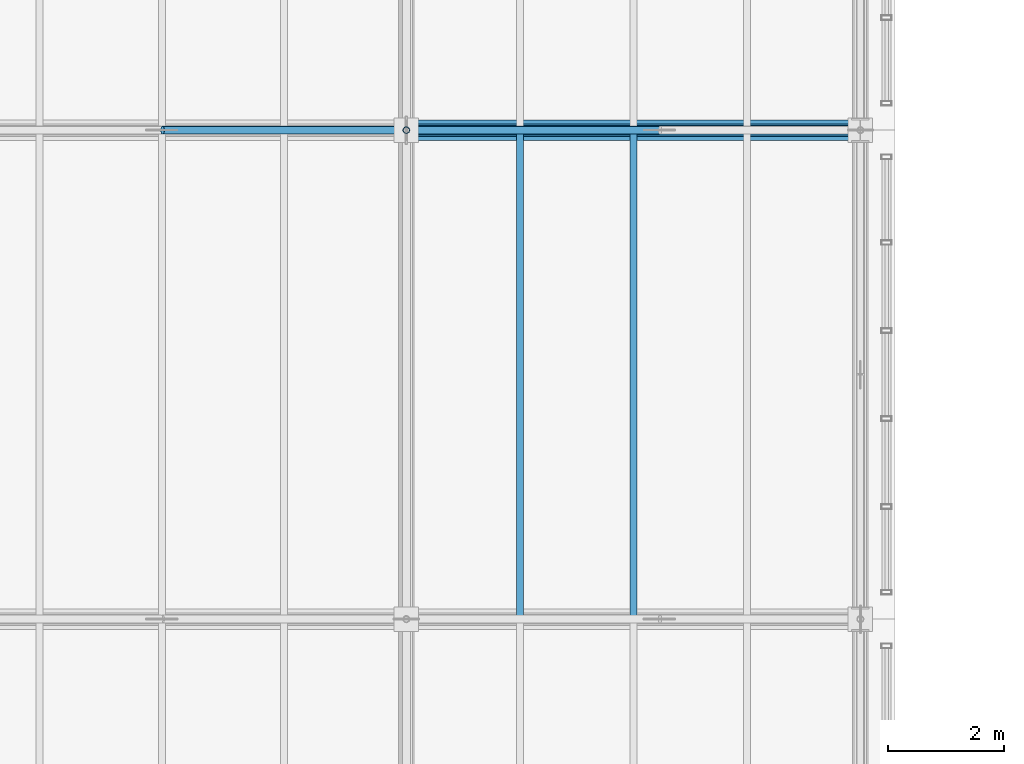
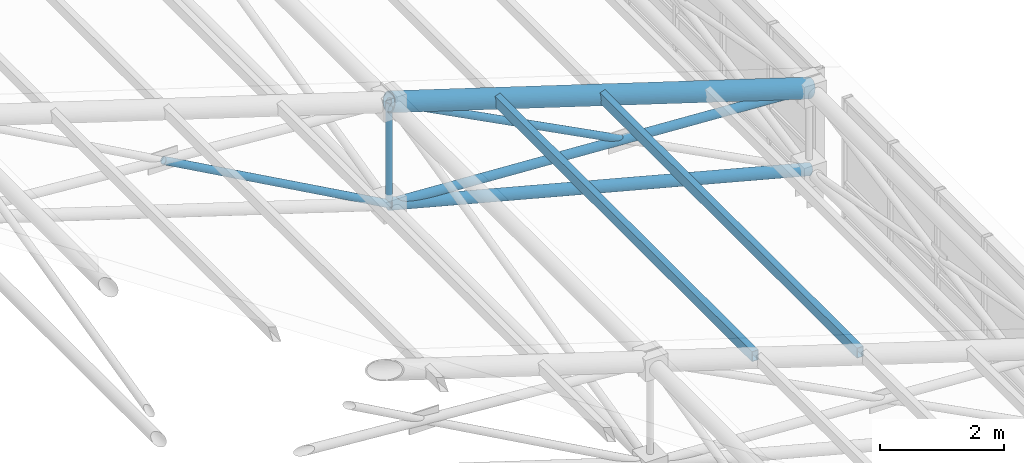
# One storey, part 92 of 144: 8 members.
"""IFC4 building model written with IfcOpenShell, lengths in metres."""

import ifcopenshell
import ifcopenshell.guid

model = None  # the IFC model being written
_history = None  # IfcOwnerHistory: only IFC2X3 demands one
_inside = {}  # id of a spatial element -> (the spatial element, [elements in it])
_under = {}  # id of a project, library or spatial element -> (it, [spatial elements below it])
_declared = {}  # id of a project -> (the project, [libraries it declares])
_typed = {}  # id of a type object -> (the type object, [elements of that type])
_made_of = {}  # id of a material, layer set ... -> (it, [elements and type objects made of it])


def new_model(schema):
    """Start an empty IFC model of exactly this schema.

    Asked for "IFC4X3", IfcOpenShell would pick the latest addendum, in which some entities
    have other attributes; the version numbers below select the first issue.
    IFC2X3 requires an IfcOwnerHistory on every rooted entity: one is made here for all.
    """
    global model, _history
    if schema == "IFC4X3":
        model = ifcopenshell.file(schema_version=(4, 3, 0, 0))
    else:
        model = ifcopenshell.file(schema=schema)
    _inside.clear()
    _under.clear()
    _declared.clear()
    _typed.clear()
    _made_of.clear()
    _history = None
    if model.schema == "IFC2X3":
        org = make("IfcOrganization", Name="unknown")
        user = make(
            "IfcPersonAndOrganization",
            ThePerson=make("IfcPerson", FamilyName="unknown"),
            TheOrganization=org,
        )
        app = make(
            "IfcApplication",
            ApplicationDeveloper=org,
            Version="unknown",
            ApplicationFullName="unknown",
            ApplicationIdentifier="unknown",
        )
        _history = make(
            "IfcOwnerHistory",
            OwningUser=user,
            OwningApplication=app,
            ChangeAction="ADDED",
            CreationDate=0,
        )
    return model


def make(cls, **values):
    """One entity of the class cls with the attributes given. An attribute that is None is left unset."""
    return model.create_entity(
        cls, **{name: value for name, value in values.items() if value is not None}
    )


def rooted(cls, **values):
    """An entity with a GlobalId (a new one), such as an element, a storey or a relation."""
    return make(cls, GlobalId=ifcopenshell.guid.new(), OwnerHistory=_history, **values)


def si_unit(unit_type, name, prefix=None):
    """IfcSIUnit, for example si_unit("LENGTHUNIT", "METRE", prefix="MILLI")."""
    return make("IfcSIUnit", UnitType=unit_type, Prefix=prefix, Name=name)


def assignment(units):
    """IfcUnitAssignment: the units of a project."""
    return None if units is None else make("IfcUnitAssignment", Units=units)


def point(xyz):
    """IfcCartesianPoint."""
    return None if xyz is None else make("IfcCartesianPoint", Coordinates=xyz)


def direction(xyz):
    """IfcDirection."""
    return None if xyz is None else make("IfcDirection", DirectionRatios=xyz)


def frame(location, z_axis=None, x_axis=None):
    """IfcAxis2Placement3D, a coordinate frame: its origin and axes. An axis left out is left unset."""
    return make(
        "IfcAxis2Placement3D",
        Location=point(location),
        Axis=direction(z_axis),
        RefDirection=direction(x_axis),
    )


def frame_2d(location, x_axis=None):
    """IfcAxis2Placement2D, a coordinate frame in the plane: its origin and x axis."""
    return make(
        "IfcAxis2Placement2D", Location=point(location), RefDirection=direction(x_axis)
    )


def origin():
    """The frame at (0, 0, 0) with its axes left unset."""
    return frame((0.0, 0.0, 0.0))


def origin_2d():
    """The frame at (0, 0) in the plane with its x axis left unset."""
    return frame_2d((0.0, 0.0))


def place(relative_to, where):
    """IfcLocalPlacement: puts the frame where relative to a parent placement (None: the world)."""
    return make(
        "IfcLocalPlacement", PlacementRelTo=relative_to, RelativePlacement=where
    )


def context(
    kind, dimensions, precision=None, world=None, true_north=None, identifier=None
):
    """IfcGeometricRepresentationContext, for example the 3D "Model" context."""
    return make(
        "IfcGeometricRepresentationContext",
        ContextIdentifier=identifier,
        ContextType=kind,
        CoordinateSpaceDimension=dimensions,
        Precision=precision,
        WorldCoordinateSystem=world,
        TrueNorth=true_north,
    )


def subcontext(parent, identifier, kind, view, scale=None):
    """IfcGeometricRepresentationSubContext, for example "Body" below "Model"."""
    return make(
        "IfcGeometricRepresentationSubContext",
        ContextIdentifier=identifier,
        ContextType=kind,
        ParentContext=parent,
        TargetScale=scale,
        TargetView=view,
    )


def project(units=None, contexts=None):
    """IfcProject with its units and contexts."""
    return rooted(
        "IfcProject",
        Name="project",
        RepresentationContexts=contexts,
        UnitsInContext=assignment(units),
    )


def spatial(cls, under=None, at=None, **own):
    """A site, building, storey or space (cls), placed at a placement, below another one or the project."""
    s = rooted(cls, ObjectPlacement=at, **own)
    if under is not None:
        _under.setdefault(under.id(), (under, []))[1].append(s)
    return s


def profile(cls, at=None, kind="AREA", **sizes):
    """A parametric profile (cls). Its sizes go by their IFC names, for example OverallWidth=200.0."""
    return make(cls, ProfileType=kind, Position=at, **sizes)


def hollow_rectangle(**sizes):
    """IfcRectangleHollowProfileDef."""
    return profile("IfcRectangleHollowProfileDef", **sizes)


def hollow_circle(**sizes):
    """IfcCircleHollowProfileDef."""
    return profile("IfcCircleHollowProfileDef", **sizes)


def extrude(swept, where, along, depth):
    """IfcExtrudedAreaSolid: the profile swept, set in the frame where, extruded along a direction by depth."""
    return make(
        "IfcExtrudedAreaSolid",
        SweptArea=swept,
        Position=where,
        ExtrudedDirection=direction(along),
        Depth=depth,
    )


def shape(context_of_items, identifier, shape_type, items):
    """IfcShapeRepresentation: the items that make up one representation, for example the "Body"."""
    return make(
        "IfcShapeRepresentation",
        ContextOfItems=context_of_items,
        RepresentationIdentifier=identifier,
        RepresentationType=shape_type,
        Items=items,
    )


def material(Name=None, Category=None):
    """IfcMaterial."""
    return make("IfcMaterial", Name=Name, Category=Category)


def material_profile(
    of_material, cross_section, Name=None, Category=None, Priority=None
):
    """IfcMaterialProfile: a cross section and its material."""
    return make(
        "IfcMaterialProfile",
        Name=Name,
        Material=of_material,
        Profile=cross_section,
        Priority=Priority,
        Category=Category,
    )


def profile_set(profiles, Name=None, composite=None):
    """IfcMaterialProfileSet."""
    return make(
        "IfcMaterialProfileSet",
        Name=Name,
        MaterialProfiles=profiles,
        CompositeProfile=composite,
    )


def made_of(thing, what):
    """Note that an element or type object is made of a material, layer set ...; save() writes the relation."""
    if what is not None:
        _made_of.setdefault(what.id(), (what, []))[1].append(thing)
    return thing


def type_object(cls, material=None, **own):
    """A type object (cls), such as IfcWallType, which elements share."""
    return made_of(rooted(cls, **own), material)


def element(
    cls,
    number,
    at=None,
    inside=None,
    cuts=None,
    type_object=None,
    material=None,
    context=None,
    identifier="Body",
    shape_type=None,
    held_by="IfcProductDefinitionShape",
    body=None,
    shapes=None,
    **own,
):
    """One element of the class cls, such as IfcWall. Its Tag is "e" and its number.

    at: its placement. inside: the storey or other place that contains it. cuts: it is an
    opening in that element (IfcRelVoidsElement). A single representation is given by context,
    identifier, shape_type and body (its items); several are given by shapes. held_by: the class
    of the entity that holds the representations. save() writes the other relations.
    """
    e = rooted(cls, Tag="e%d" % number, ObjectPlacement=at, **own)
    if body is not None:
        shapes = [shape(context, identifier, shape_type, body)]
    if shapes is not None:
        e.Representation = make(held_by, Representations=shapes)
    if inside is not None:
        _inside.setdefault(inside.id(), (inside, []))[1].append(e)
    if cuts is not None:
        rooted(
            "IfcRelVoidsElement", RelatingBuildingElement=cuts, RelatedOpeningElement=e
        )
    if type_object is not None:
        _typed.setdefault(type_object.id(), (type_object, []))[1].append(e)
    return made_of(e, material)


def aggregate(whole, parts):
    """IfcRelAggregates: a whole, such as a stair, and the parts it consists of."""
    return rooted("IfcRelAggregates", RelatingObject=whole, RelatedObjects=parts)


def save(model, path):
    """Write the relations noted so far, then the file.

    IfcRelAggregates (storeys below a building ...), IfcRelContainedInSpatialStructure (elements
    in a storey), IfcRelDefinesByType, IfcRelAssociatesMaterial and IfcRelDeclares: one each for
    every whole, place, type object, material and project.
    """
    for whole, parts in _under.values():
        aggregate(whole, parts)
    for where, things in _inside.values():
        rooted(
            "IfcRelContainedInSpatialStructure",
            RelatedElements=things,
            RelatingStructure=where,
        )
    for kind, things in _typed.values():
        rooted("IfcRelDefinesByType", RelatedObjects=things, RelatingType=kind)
    for what, things in _made_of.values():
        rooted("IfcRelAssociatesMaterial", RelatedObjects=things, RelatingMaterial=what)
    for by, libraries in _declared.values():
        rooted("IfcRelDeclares", RelatingContext=by, RelatedDefinitions=libraries)
    model.write(path)


model = new_model("IFC4")

# Units and contexts
model_context = context("Model", 3, precision=1e-05, world=origin(), true_north=direction((0.0, 1.0)))
body_context = subcontext(model_context, "Body", "Model", "MODEL_VIEW")
ifc_project = project(units=[si_unit("LENGTHUNIT", "METRE"), si_unit("AREAUNIT", "SQUARE_METRE"), si_unit("VOLUMEUNIT", "CUBIC_METRE"), si_unit("PLANEANGLEUNIT", "RADIAN"), si_unit("MASSUNIT", "GRAM", prefix="KILO")], contexts=[model_context])

# Site, building, storey
site_placement = place(None, origin())
site = spatial("IfcSite", under=ifc_project, at=site_placement, CompositionType="ELEMENT")
building_placement = place(site_placement, origin())
building = spatial("IfcBuilding", under=site, at=building_placement, Name="Zayran Congress Hotel", CompositionType="ELEMENT")
storey_placement = place(building_placement, frame((0.0, 0.0, 19.199951171875)))
storey = spatial("IfcBuildingStorey", under=building, at=storey_placement, Name="L04", CompositionType="ELEMENT", Elevation=19.199951171875)

# Members
ifc_material = material(Name="Steel S355", Category="steel")
ifc_material_profile_1 = material_profile(ifc_material, hollow_circle(Radius=0.177734375, WallThickness=0.01611328125, at=origin_2d()), Name="CHS 355.6x16")
ifc_profile_set_1 = profile_set([ifc_material_profile_1], Name="Steel S355")
member_type_1 = type_object("IfcMemberType", Name="TP-SF-TC1", PredefinedType="CHORD", material=ifc_profile_set_1)
member_1_placement = place(storey_placement, frame((84.0, 101.199951171875, 4.652099609375), z_axis=(0.953669693314, 0.0, -0.300855639892), x_axis=(0.0, 1.0, 0.0)))
element("IfcMember", 1, at=member_1_placement, inside=storey, type_object=member_type_1, Name="Space Frame Top Chord X 522", PredefinedType="CHORD", context=body_context, shape_type="SweptSolid", body=[
    extrude(hollow_circle(Radius=0.177734375, WallThickness=0.01611328125, at=origin_2d()), origin(), (0.0, 0.0, 1.0), 8.178955078125),
])
ifc_material_profile_2 = material_profile(ifc_material, hollow_circle(Radius=0.109619140625, WallThickness=0.010009765625, at=origin_2d()), Name="CHS 219.1x10")
ifc_profile_set_2 = profile_set([ifc_material_profile_2], Name="Steel S355")
member_type_2 = type_object("IfcMemberType", Name="TP-SF-BC1", PredefinedType="CHORD", material=ifc_profile_set_2)
member_2_placement = place(storey_placement, frame((84.0, 101.199951171875, 2.650146484375), z_axis=(0.967153699015, 0.0, -0.254192294301), x_axis=(0.0, 1.0, 0.0)))
element("IfcMember", 2, at=member_2_placement, inside=storey, type_object=member_type_2, Name="Space Frame Bottom Chord X 523", PredefinedType="CHORD", context=body_context, shape_type="SweptSolid", body=[
    extrude(hollow_circle(Radius=0.109619140625, WallThickness=0.010009765625, at=origin_2d()), origin(), (0.0, 0.0, 1.0), 8.06494140625),
])
ifc_material_profile_3 = material_profile(ifc_material, hollow_circle(Radius=0.084228515625, WallThickness=0.008056640625, at=origin_2d()), Name="CHS 168.3x8")
ifc_profile_set_3 = profile_set([ifc_material_profile_3], Name="Steel S355")
member_type_3 = type_object("IfcMemberType", Name="TP-SF-DG1", PredefinedType="BRACE", material=ifc_profile_set_3)
member_3_placement = place(storey_placement, frame((84.0, 101.199951171875, 2.650146484375), z_axis=(0.998275019581, 0.0, -0.058711032013), x_axis=(0.0, 1.0, 0.0)))
element("IfcMember", 3, at=member_3_placement, inside=storey, type_object=member_type_3, Name="Space Frame Web Diagonal X 524", PredefinedType="BRACE", context=body_context, shape_type="SweptSolid", body=[
    extrude(hollow_circle(Radius=0.084228515625, WallThickness=0.008056640625, at=origin_2d()), origin(), (0.0, 0.0, 1.0), 7.8134765625),
])
ifc_material_profile_4 = material_profile(ifc_material, hollow_circle(Radius=0.06982421875, WallThickness=0.00634765625, at=origin_2d()), Name="CHS 139.7x6.3")
ifc_profile_set_4 = profile_set([ifc_material_profile_4], Name="Steel S355")
member_type_4 = type_object("IfcMemberType", Name="TP-SF-DG2", PredefinedType="BRACE", material=ifc_profile_set_4)
member_4_placement = place(storey_placement, frame((79.81298828125, 101.199951171875, 4.96875), z_axis=(0.874822952575, 0.0, -0.484442774379), x_axis=(0.0, 1.0, 0.0)))
element("IfcMember", 4, at=member_4_placement, inside=storey, type_object=member_type_4, Name="Space Frame Counter Diagonal X Lower 73", PredefinedType="BRACE", context=body_context, shape_type="SweptSolid", body=[
    extrude(hollow_circle(Radius=0.06982421875, WallThickness=0.00634765625, at=origin_2d()), origin(), (0.0, 0.0, 1.0), 4.7861328125),
])
member_5_placement = place(storey_placement, frame((84.0, 101.199951171875, 4.652099609375), z_axis=(0.887399308867, 0.0, -0.461001590694), x_axis=(0.0, 1.0, 0.0)))
element("IfcMember", 5, at=member_5_placement, inside=storey, type_object=member_type_4, Name="Space Frame Counter Diagonal X Upper 525", PredefinedType="BRACE", context=body_context, shape_type="SweptSolid", body=[
    extrude(hollow_circle(Radius=0.06982421875, WallThickness=0.00634765625, at=origin_2d()), origin(), (0.0, 0.0, 1.0), 4.88232421875),
])
ifc_material_profile_5 = material_profile(ifc_material, hollow_circle(Radius=0.05712890625, WallThickness=0.00634765625, at=origin_2d()), Name="CHS 114.3x6.3")
ifc_profile_set_5 = profile_set([ifc_material_profile_5], Name="Steel S355")
member_type_5 = type_object("IfcMemberType", Name="TP-SF-DG3", PredefinedType="BRACE", material=ifc_profile_set_5)
member_6_placement = place(storey_placement, frame((84.0, 101.199951171875, 2.650146484375), z_axis=(0.0, 0.0, 1.0), x_axis=(0.0, 1.0, 0.0)))
element("IfcMember", 6, at=member_6_placement, inside=storey, type_object=member_type_5, Name="Space Frame Web Strut 529", PredefinedType="BRACE", context=body_context, shape_type="SweptSolid", body=[
    extrude(hollow_circle(Radius=0.05712890625, WallThickness=0.00634765625, at=origin_2d()), origin(), (0.0, 0.0, 1.0), 2.001953125),
])
ifc_material_profile_6 = material_profile(ifc_material, hollow_rectangle(XDim=0.1201171875, YDim=0.199951171875, WallThickness=0.008056640625, at=origin_2d()), Name="RHS 200x120x8")
ifc_profile_set_6 = profile_set([ifc_material_profile_6], Name="Steel S355")
member_type_6 = type_object("IfcMemberType", Name="TP-PR-01", PredefinedType="PURLIN", material=ifc_profile_set_6)
for number, where, z_axis, x_axis, name in (
    (7, (85.949951171875, 92.800048828125, 4.078857421875), (0.0, 1.0, 0.0), (-1.0, 0.0, 0.0), "MEM-PR-V1-0166"),
    (8, (87.89990234375, 92.800048828125, 3.4638671875), (0.0, 1.0, 0.0), (-1.0, 0.0, 0.0), "MEM-PR-V1-0172"),
):
    element("IfcMember", number, at=place(storey_placement, frame(where, z_axis=z_axis, x_axis=x_axis)), inside=storey, type_object=member_type_6, Name=name, PredefinedType="PURLIN", context=body_context, shape_type="SweptSolid", body=[
        extrude(hollow_rectangle(XDim=0.1201171875, YDim=0.199951171875, WallThickness=0.008056640625, at=origin_2d()), origin(), (0.0, 0.0, 1.0), 8.39990234375),
    ])

save(model, "model.ifc")
